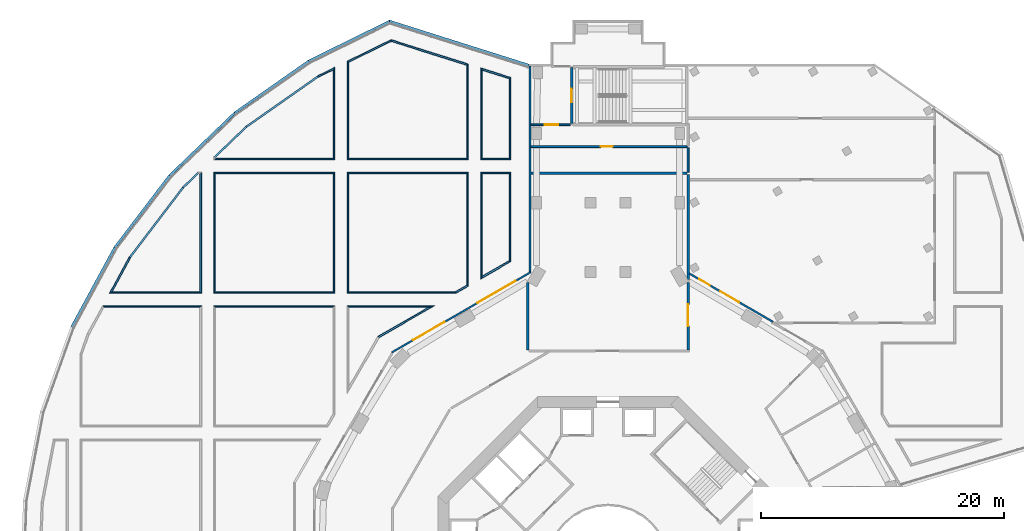
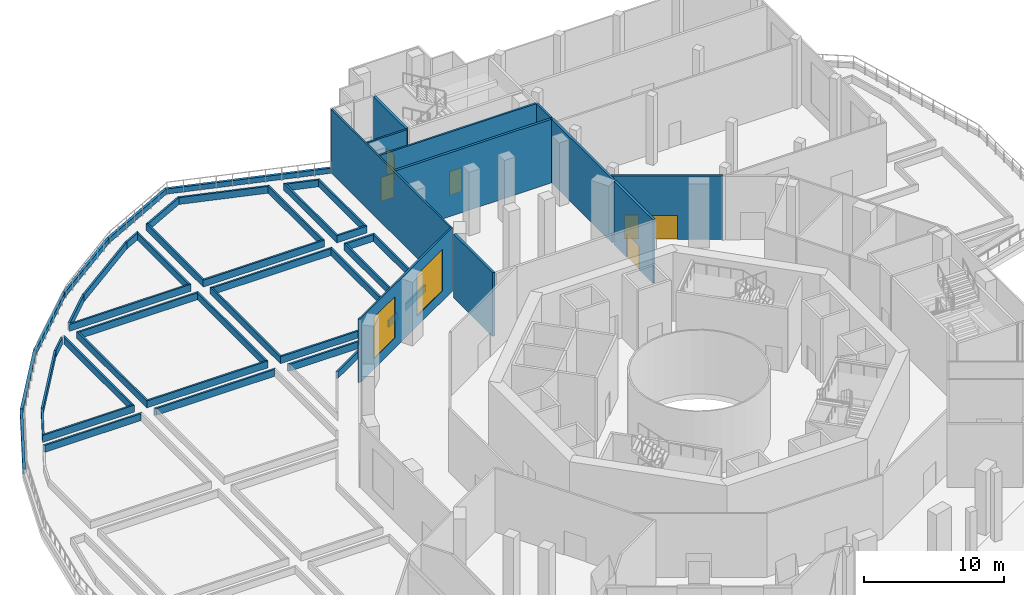
# One storey, part 9 of 29: 53 walls, 6 doors, 2 windows, 8 openings.
"""IFC4 building model written with IfcOpenShell, lengths in metres."""

from ifc_helpers import new_model, si_unit, direction, frame, frame_2d, origin, place, context, subcontext, project, spatial, polyline, rectangle, outline, extrude, material, layer, layer_set, type_object, element, fill, save


model = new_model("IFC4")

# Units and contexts
model_context = context("Model", 3, precision=1e-05, world=origin(), true_north=direction((0.0, 1.0)))
body_context = subcontext(model_context, "Body", "Model", "MODEL_VIEW")
ifc_project = project(units=[si_unit("LENGTHUNIT", "METRE"), si_unit("AREAUNIT", "SQUARE_METRE"), si_unit("VOLUMEUNIT", "CUBIC_METRE"), si_unit("PLANEANGLEUNIT", "RADIAN"), si_unit("MASSUNIT", "GRAM", prefix="KILO")], contexts=[model_context])

# Site, building, storey
site_placement = place(None, origin())
site = spatial("IfcSite", under=ifc_project, at=site_placement, CompositionType="ELEMENT")
building_placement = place(site_placement, origin())
building = spatial("IfcBuilding", under=site, at=building_placement, Name="Verdalira Terraces Hotel", CompositionType="ELEMENT")
storey_placement = place(building_placement, frame((0.0, 0.0, 8.0)))
storey = spatial("IfcBuildingStorey", under=building, at=storey_placement, Name="L01", CompositionType="ELEMENT", Elevation=8.0)

# Wall
ifc_material_1 = material(Name="Concrete block masonry", Category="masonry")
ifc_layer_1 = layer(ifc_material_1, 0.199951171875)
ifc_layer_set_1 = layer_set([ifc_layer_1], Name="Fire-rated masonry wall 200 mm")
wall_type_1 = type_object("IfcWallType", Name="Fire-rated masonry wall 200 mm", PredefinedType="SOLIDWALL", material=ifc_layer_set_1)
wall_1_placement = place(storey_placement, frame((-6.600098, 23.415283, 0.0), z_axis=(0.0, 0.0, 1.0), x_axis=(0.0, -1.0, 0.0)))
element("IfcWall", 1, at=wall_1_placement, inside=storey, type_object=wall_type_1, Name="Plant and kitchen enclosure wall", PredefinedType="SOLIDWALL", context=body_context, shape_type="SweptSolid", body=[
    extrude(rectangle(XDim=5.556885, YDim=0.199951, at=frame_2d((2.77832, 0.0))), origin(), (0.0, 0.0, 1.0), 5.550049),
])

# Wall, opening, door
wall_2_placement = place(storey_placement, frame((6.600098, 23.415283, 0.0), z_axis=(0.0, 0.0, 1.0), x_axis=(0.0, -1.0, 0.0)))
wall_2 = element("IfcWall", 2, at=wall_2_placement, inside=storey, type_object=wall_type_1, Name="Plant and kitchen enclosure wall", PredefinedType="SOLIDWALL", context=body_context, shape_type="SweptSolid", body=[
    extrude(rectangle(XDim=5.556885, YDim=0.199951, at=frame_2d((2.77832, 0.0))), origin(), (0.0, 0.0, 1.0), 5.550049),
])
opening_1_placement = place(wall_2_placement, frame((1.807129, 0.0, 0.0)))
opening_1 = element("IfcOpeningElement", 3, at=opening_1_placement, cuts=wall_2, Name="Opening L01-D16", PredefinedType="OPENING", context=body_context, shape_type="SweptSolid", body=[
    extrude(rectangle(XDim=1.800049, YDim=2.100098, at=frame_2d((0.899902, 1.050049))), frame((0.0, 0.109863, 0.0), z_axis=(0.0, -1.0, 0.0), x_axis=(1.0, 0.0, 0.0)), (0.0, 0.0, 1.0), 0.219971),
])
ifc_material_2 = material(Name="Steel fire door", Category="steel")
door_type_1 = type_object("IfcDoorType", Name="Fire door pair 1800 x 2100", OperationType="DOUBLE_DOOR_SINGLE_SWING", PredefinedType="DOOR", material=ifc_material_2)
door_1_placement = place(opening_1_placement, origin())
door_1 = element("IfcDoor", 4, at=door_1_placement, inside=storey, type_object=door_type_1, Name="Staff corridor door", OperationType="DOUBLE_DOOR_SINGLE_SWING", OverallHeight=2.10009765625, OverallWidth=1.800048828125, PredefinedType="DOOR", context=body_context, shape_type="SweptSolid", body=[
    extrude(rectangle(XDim=1.800049, YDim=2.100098, at=frame_2d((0.899902, 1.050049))), frame((0.0, 0.024902, 0.0), z_axis=(0.0, -1.0, 0.0), x_axis=(1.0, 0.0, 0.0)), (0.0, 0.0, 1.0), 0.050049),
])
fill(opening_1, door_1)

# Walls
wall_3_placement = place(storey_placement, frame((6.600098, 23.659424, 0.0), z_axis=(0.0, 0.0, 1.0), x_axis=(0.0, 1.0, 0.0)))
element("IfcWall", 5, at=wall_3_placement, inside=storey, type_object=wall_type_1, Name="Plant and kitchen enclosure wall", PredefinedType="SOLIDWALL", context=body_context, shape_type="SweptSolid", body=[
    extrude(rectangle(XDim=8.640869, YDim=0.199951, at=frame_2d((4.320312, 0.0))), origin(), (0.0, 0.0, 1.0), 5.550049),
])
wall_4_placement = place(storey_placement, frame((6.5, 32.399902, 0.0), z_axis=(0.0, 0.0, 1.0), x_axis=(-1.0, 0.0, 0.0)))
element("IfcWall", 6, at=wall_4_placement, inside=storey, type_object=wall_type_1, Name="Plant and kitchen enclosure wall", PredefinedType="SOLIDWALL", context=body_context, shape_type="SweptSolid", body=[
    extrude(rectangle(XDim=12.860107, YDim=0.199951, at=frame_2d((6.430176, 0.0))), origin(), (0.0, 0.0, 1.0), 5.550049),
])

# Wall, opening, door
ifc_material_3 = material(Name="Gypsum board partition on steel stud", Category="steel")
ifc_layer_2 = layer(ifc_material_3, 0.14990234375)
ifc_layer_set_2 = layer_set([ifc_layer_2], Name="Fire-rated partition 150 mm")
wall_type_2 = type_object("IfcWallType", Name="Fire-rated partition 150 mm", PredefinedType="PARTITIONING", material=ifc_layer_set_2)
wall_5_placement = place(storey_placement, frame((6.524902, 34.600098, 0.0), z_axis=(0.0, 0.0, 1.0), x_axis=(-1.0, 0.0, 0.0)))
wall_5 = element("IfcWall", 7, at=wall_5_placement, inside=storey, type_object=wall_type_2, Name="Partition", PredefinedType="PARTITIONING", context=body_context, shape_type="SweptSolid", body=[
    extrude(rectangle(XDim=12.88501, YDim=0.149902, at=frame_2d((6.442383, 0.0))), origin(), (0.0, 0.0, 1.0), 5.550049),
])
opening_2_placement = place(wall_5_placement, frame((6.13501, 0.0, 0.0)))
opening_2 = element("IfcOpeningElement", 8, at=opening_2_placement, cuts=wall_5, Name="Opening L01-D09", PredefinedType="OPENING", context=body_context, shape_type="SweptSolid", body=[
    extrude(rectangle(XDim=1.0, YDim=2.100098, at=frame_2d((0.5, 1.050049))), frame((0.0, 0.084961, 0.0), z_axis=(0.0, -1.0, 0.0), x_axis=(1.0, 0.0, 0.0)), (0.0, 0.0, 1.0), 0.169922),
])
ifc_material_4 = material(Name="Steel fire door", Category="steel")
door_type_2 = type_object("IfcDoorType", Name="Fire door 1000 x 2100", OperationType="SINGLE_SWING_LEFT", PredefinedType="DOOR", material=ifc_material_4)
door_2_placement = place(opening_2_placement, origin())
door_2 = element("IfcDoor", 9, at=door_2_placement, inside=storey, type_object=door_type_2, Name="Dry store door", OperationType="SINGLE_SWING_RIGHT", OverallHeight=2.10009765625, OverallWidth=1.0, PredefinedType="DOOR", context=body_context, shape_type="SweptSolid", body=[
    extrude(rectangle(XDim=1.0, YDim=2.100098, at=frame_2d((0.5, 1.050049))), frame((0.0, 0.024902, 0.0), z_axis=(0.0, -1.0, 0.0), x_axis=(1.0, 0.0, 0.0)), (0.0, 0.0, 1.0), 0.050049),
])
fill(opening_2, door_2)

wall_6_placement = place(storey_placement, frame((-3.099854, 36.399902, 0.0), z_axis=(0.0, 0.0, 1.0), x_axis=(-1.0, 0.0, 0.0)))
wall_6 = element("IfcWall", 10, at=wall_6_placement, inside=storey, type_object=wall_type_2, Name="Partition", PredefinedType="PARTITIONING", context=body_context, shape_type="SweptSolid", body=[
    extrude(rectangle(XDim=3.260254, YDim=0.149902, at=frame_2d((1.630127, 0.0))), origin(), (0.0, 0.0, 1.0), 5.550049),
])
opening_3_placement = place(wall_6_placement, frame((1.010254, 0.0, 0.0)))
opening_3 = element("IfcOpeningElement", 11, at=opening_3_placement, cuts=wall_6, Name="Opening L01-D10", PredefinedType="OPENING", context=body_context, shape_type="SweptSolid", body=[
    extrude(rectangle(XDim=1.100098, YDim=2.100098, at=frame_2d((0.550049, 1.050049))), frame((0.0, 0.084961, 0.0), z_axis=(0.0, -1.0, 0.0), x_axis=(1.0, 0.0, 0.0)), (0.0, 0.0, 1.0), 0.169922),
])
ifc_material_5 = material(Name="Steel fire door", Category="steel")
door_type_3 = type_object("IfcDoorType", Name="Stair door 1100 x 2100", OperationType="SINGLE_SWING_LEFT", PredefinedType="DOOR", material=ifc_material_5)
door_3_placement = place(opening_3_placement, origin())
door_3 = element("IfcDoor", 12, at=door_3_placement, inside=storey, type_object=door_type_3, Name="Stair door Stair approach corridor", OperationType="SINGLE_SWING_LEFT", OverallHeight=2.10009765625, OverallWidth=1.10009765625, PredefinedType="DOOR", context=body_context, shape_type="SweptSolid", body=[
    extrude(rectangle(XDim=1.100098, YDim=2.100098, at=frame_2d((0.550049, 1.050049))), frame((0.0, 0.024902, 0.0), z_axis=(0.0, -1.0, 0.0), x_axis=(1.0, 0.0, 0.0)), (0.0, 0.0, 1.0), 0.050049),
])
fill(opening_3, door_3)

# Wall, openings, doors
wall_7_placement = place(storey_placement, frame((13.598389, 20.159912, 0.0), z_axis=(0.0, 0.0, 1.0), x_axis=(-0.866016972, 0.500014603, 0.0)))
wall_7 = element("IfcWall", 13, at=wall_7_placement, inside=storey, type_object=wall_type_2, Name="Partition", PredefinedType="PARTITIONING", context=body_context, shape_type="SweptSolid", body=[
    extrude(rectangle(XDim=7.981201, YDim=0.149902, at=frame_2d((3.990723, 0.0))), origin(), (0.0, 0.0, 1.0), 5.550049),
])
opening_4_placement = place(wall_7_placement, frame((6.03125, 0.0, 0.0)))
opening_4 = element("IfcOpeningElement", 14, at=opening_4_placement, cuts=wall_7, Name="Opening L01-D17", PredefinedType="OPENING", context=body_context, shape_type="SweptSolid", body=[
    extrude(rectangle(XDim=1.0, YDim=2.100098, at=frame_2d((0.5, 1.050049))), frame((0.0, 0.084961, 0.0), z_axis=(0.0, -1.0, 0.0), x_axis=(1.0, 0.0, 0.0)), (0.0, 0.0, 1.0), 0.169922),
])
opening_5_placement = place(wall_7_placement, frame((3.231201, 0.0, 0.0)))
opening_5 = element("IfcOpeningElement", 15, at=opening_5_placement, cuts=wall_7, Name="Opening L01-D18", PredefinedType="OPENING", context=body_context, shape_type="SweptSolid", body=[
    extrude(rectangle(XDim=1.800049, YDim=2.100098, at=frame_2d((0.899902, 1.050049))), frame((0.0, 0.084961, 0.0), z_axis=(0.0, -1.0, 0.0), x_axis=(1.0, 0.0, 0.0)), (0.0, 0.0, 1.0), 0.169922),
])
door_4_placement = place(opening_4_placement, origin())
door_4 = element("IfcDoor", 16, at=door_4_placement, inside=storey, type_object=door_type_2, Name="Staff corridor door", OperationType="SINGLE_SWING_RIGHT", OverallHeight=2.10009765625, OverallWidth=1.0, PredefinedType="DOOR", context=body_context, shape_type="SweptSolid", body=[
    extrude(rectangle(XDim=1.0, YDim=2.100098, at=frame_2d((0.5, 1.050049))), frame((0.0, 0.024902, 0.0), z_axis=(0.0, -1.0, 0.0), x_axis=(1.0, 0.0, 0.0)), (0.0, 0.0, 1.0), 0.050049),
])
fill(opening_4, door_4)
door_5_placement = place(opening_5_placement, origin())
door_5 = element("IfcDoor", 17, at=door_5_placement, inside=storey, type_object=door_type_1, Name="Staff corridor door", OperationType="DOUBLE_DOOR_SINGLE_SWING", OverallHeight=2.10009765625, OverallWidth=1.800048828125, PredefinedType="DOOR", context=body_context, shape_type="SweptSolid", body=[
    extrude(rectangle(XDim=1.800049, YDim=2.100098, at=frame_2d((0.899902, 1.050049))), frame((0.0, 0.024902, 0.0), z_axis=(0.0, -1.0, 0.0), x_axis=(1.0, 0.0, 0.0)), (0.0, 0.0, 1.0), 0.050049),
])
fill(opening_5, door_5)

# Wall
wall_8_placement = place(storey_placement, frame((6.600098, 32.499756, 0.0), z_axis=(0.0, 0.0, 1.0), x_axis=(0.0, 1.0, 0.0)))
element("IfcWall", 18, at=wall_8_placement, inside=storey, type_object=wall_type_2, Name="Partition", PredefinedType="PARTITIONING", context=body_context, shape_type="SweptSolid", body=[
    extrude(rectangle(XDim=2.025391, YDim=0.149902, at=frame_2d((1.012695, 0.0))), origin(), (0.0, 0.0, 1.0), 5.550049),
])

# Wall, opening, door
ifc_material_6 = material(Name="Concrete C50", Category="concrete")
ifc_layer_3 = layer(ifc_material_6, 0.199951171875)
ifc_layer_set_3 = layer_set([ifc_layer_3], Name="Stair enclosure wall 200 mm")
wall_type_3 = type_object("IfcWallType", Name="Stair enclosure wall 200 mm", PredefinedType="SOLIDWALL", material=ifc_layer_set_3)
wall_9_placement = place(storey_placement, frame((-3.0, 36.5, 0.0), z_axis=(0.0, 0.0, 1.0), x_axis=(0.0, 1.0, 0.0)))
wall_9 = element("IfcWall", 19, at=wall_9_placement, inside=storey, type_object=wall_type_3, Name="Stair enclosure wall", PredefinedType="SOLIDWALL", context=body_context, shape_type="SweptSolid", body=[
    extrude(rectangle(XDim=4.600098, YDim=0.199951, at=frame_2d((2.300049, 0.0))), origin(), (0.0, 0.0, 1.0), 5.550049),
])
opening_6_placement = place(wall_9_placement, frame((1.75, 0.0, 0.0)))
opening_6 = element("IfcOpeningElement", 20, at=opening_6_placement, cuts=wall_9, Name="Opening L01-D13", PredefinedType="OPENING", context=body_context, shape_type="SweptSolid", body=[
    extrude(rectangle(XDim=1.100098, YDim=2.100098, at=frame_2d((0.550049, 1.050049))), frame((0.0, 0.109863, 0.0), z_axis=(0.0, -1.0, 0.0), x_axis=(1.0, 0.0, 0.0)), (0.0, 0.0, 1.0), 0.219971),
])
door_6_placement = place(opening_6_placement, origin())
door_6 = element("IfcDoor", 21, at=door_6_placement, inside=storey, type_object=door_type_3, Name="Stair door Stair lobby PS1", OperationType="SINGLE_SWING_RIGHT", OverallHeight=2.10009765625, OverallWidth=1.10009765625, PredefinedType="DOOR", context=body_context, shape_type="SweptSolid", body=[
    extrude(rectangle(XDim=1.100098, YDim=2.100098, at=frame_2d((0.550049, 1.050049))), frame((0.0, 0.024902, 0.0), z_axis=(0.0, -1.0, 0.0), x_axis=(1.0, 0.0, 0.0)), (0.0, 0.0, 1.0), 0.050049),
])
fill(opening_6, door_6)

# Walls
ifc_material_7 = material(Name="Concrete C40", Category="concrete")
ifc_layer_4 = layer(ifc_material_7, 0.14990234375)
ifc_layer_set_4 = layer_set([ifc_layer_4], Name="Terrace planter trough 150 x 600")
wall_type_4 = type_object("IfcWallType", Name="Terrace planter trough 150 x 600", PredefinedType="SOLIDWALL", material=ifc_layer_set_4)
wall_10_placement = place(storey_placement, origin())
element("IfcWall", 22, at=wall_10_placement, inside=storey, type_object=wall_type_4, Name="Terrace planting bed trough", PredefinedType="SOLIDWALL", context=body_context, shape_type="SweptSolid", body=[
    extrude(outline(polyline([(-33.5, 21.5), (-41.643311, 21.5), (-41.554199, 21.350098), (-33.649902, 21.350098), (-33.5, 21.5)])), origin(), (0.0, 0.0, 1.0), 0.600098),
])
wall_11_placement = place(storey_placement, origin())
element("IfcWall", 23, at=wall_11_placement, inside=storey, type_object=wall_type_4, Name="Terrace planting bed trough", PredefinedType="SOLIDWALL", context=body_context, shape_type="SweptSolid", body=[
    extrude(outline(polyline([(-39.459717, 25.524414), (-41.10083, 22.5), (-40.848877, 22.649902), (-39.333496, 25.442871), (-39.459717, 25.524414)])), origin(), (0.0, 0.0, 1.0), 0.600098),
])
wall_12_placement = place(storey_placement, origin())
element("IfcWall", 24, at=wall_12_placement, inside=storey, type_object=wall_type_4, Name="Terrace planting bed trough", PredefinedType="SOLIDWALL", context=body_context, shape_type="SweptSolid", body=[
    extrude(outline(polyline([(-41.10083, 22.5), (-33.5, 22.5), (-33.649902, 22.649902), (-40.848877, 22.649902), (-41.10083, 22.5)])), origin(), (0.0, 0.0, 1.0), 0.600098),
])
wall_13_placement = place(storey_placement, origin())
element("IfcWall", 25, at=wall_13_placement, inside=storey, type_object=wall_type_4, Name="Terrace planting bed trough", PredefinedType="SOLIDWALL", context=body_context, shape_type="SweptSolid", body=[
    extrude(outline(polyline([(-33.5, 22.5), (-33.5, 32.5), (-33.649902, 32.350098), (-33.649902, 22.649902), (-33.5, 22.5)])), origin(), (0.0, 0.0, 1.0), 0.600098),
])
wall_14_placement = place(storey_placement, origin())
element("IfcWall", 26, at=wall_14_placement, inside=storey, type_object=wall_type_4, Name="Terrace planting bed trough", PredefinedType="SOLIDWALL", context=body_context, shape_type="SweptSolid", body=[
    extrude(outline(polyline([(-33.803711, 32.5), (-35.074951, 31.27832), (-34.962646, 31.178223), (-33.743164, 32.350098), (-33.803711, 32.5)])), origin(), (0.0, 0.0, 1.0), 0.600098),
])
wall_15_placement = place(storey_placement, origin())
element("IfcWall", 27, at=wall_15_placement, inside=storey, type_object=wall_type_4, Name="Terrace planting bed trough", PredefinedType="SOLIDWALL", context=body_context, shape_type="SweptSolid", body=[
    extrude(outline(polyline([(-35.074951, 31.27832), (-39.459717, 25.524414), (-39.333496, 25.442871), (-34.962646, 31.178223), (-35.074951, 31.27832)])), origin(), (0.0, 0.0, 1.0), 0.600098),
])
wall_16_placement = place(storey_placement, origin())
element("IfcWall", 28, at=wall_16_placement, inside=storey, type_object=wall_type_4, Name="Terrace planting bed trough", PredefinedType="SOLIDWALL", context=body_context, shape_type="SweptSolid", body=[
    extrude(outline(polyline([(-29.858887, 36.291016), (-32.5, 33.752686), (-32.350098, 33.688965), (-29.763184, 36.174805), (-29.858887, 36.291016)])), origin(), (0.0, 0.0, 1.0), 0.600098),
])
wall_17_placement = place(storey_placement, origin())
element("IfcWall", 29, at=wall_17_placement, inside=storey, type_object=wall_type_4, Name="Terrace planting bed trough", PredefinedType="SOLIDWALL", context=body_context, shape_type="SweptSolid", body=[
    extrude(outline(polyline([(-32.5, 33.5), (-22.5, 33.5), (-22.649902, 33.649902), (-32.350098, 33.649902), (-32.5, 33.5)])), origin(), (0.0, 0.0, 1.0), 0.600098),
])
wall_18_placement = place(storey_placement, origin())
element("IfcWall", 30, at=wall_18_placement, inside=storey, type_object=wall_type_4, Name="Terrace planting bed trough", PredefinedType="SOLIDWALL", context=body_context, shape_type="SweptSolid", body=[
    extrude(outline(polyline([(-22.5, 33.5), (-22.5, 41.149902), (-22.649902, 40.908936), (-22.649902, 33.649902), (-22.5, 33.5)])), origin(), (0.0, 0.0, 1.0), 0.600098),
])
wall_19_placement = place(storey_placement, origin())
element("IfcWall", 31, at=wall_19_placement, inside=storey, type_object=wall_type_4, Name="Terrace planting bed trough", PredefinedType="SOLIDWALL", context=body_context, shape_type="SweptSolid", body=[
    extrude(outline(polyline([(-22.5, 41.149902), (-23.935303, 40.443604), (-23.858643, 40.314209), (-22.649902, 40.908936), (-22.5, 41.149902)])), origin(), (0.0, 0.0, 1.0), 0.600098),
])
wall_20_placement = place(storey_placement, origin())
element("IfcWall", 32, at=wall_20_placement, inside=storey, type_object=wall_type_4, Name="Terrace planting bed trough", PredefinedType="SOLIDWALL", context=body_context, shape_type="SweptSolid", body=[
    extrude(outline(polyline([(-23.935303, 40.443604), (-29.858887, 36.291016), (-29.763184, 36.174805), (-23.858643, 40.314209), (-23.935303, 40.443604)])), origin(), (0.0, 0.0, 1.0), 0.600098),
])
wall_21_placement = place(storey_placement, origin())
element("IfcWall", 33, at=wall_21_placement, inside=storey, type_object=wall_type_4, Name="Terrace planting bed trough", PredefinedType="SOLIDWALL", context=body_context, shape_type="SweptSolid", body=[
    extrude(outline(polyline([(-17.880615, 43.42334), (-21.5, 41.64209), (-21.350098, 41.548584), (-17.868408, 43.262207), (-17.880615, 43.42334)])), origin(), (0.0, 0.0, 1.0), 0.600098),
])
wall_22_placement = place(storey_placement, origin())
element("IfcWall", 34, at=wall_22_placement, inside=storey, type_object=wall_type_4, Name="Terrace planting bed trough", PredefinedType="SOLIDWALL", context=body_context, shape_type="SweptSolid", body=[
    extrude(outline(polyline([(-21.5, 41.64209), (-21.5, 33.5), (-21.350098, 33.649902), (-21.350098, 41.548584), (-21.5, 41.64209)])), origin(), (0.0, 0.0, 1.0), 0.600098),
])
wall_23_placement = place(storey_placement, origin())
element("IfcWall", 35, at=wall_23_placement, inside=storey, type_object=wall_type_4, Name="Terrace planting bed trough", PredefinedType="SOLIDWALL", context=body_context, shape_type="SweptSolid", body=[
    extrude(outline(polyline([(-21.5, 33.5), (-11.5, 33.5), (-11.649902, 33.649902), (-21.350098, 33.649902), (-21.5, 33.5)])), origin(), (0.0, 0.0, 1.0), 0.600098),
])
wall_24_placement = place(storey_placement, origin())
element("IfcWall", 36, at=wall_24_placement, inside=storey, type_object=wall_type_4, Name="Terrace planting bed trough", PredefinedType="SOLIDWALL", context=body_context, shape_type="SweptSolid", body=[
    extrude(outline(polyline([(-11.5, 33.5), (-11.5, 41.406982), (-11.649902, 41.297119), (-11.649902, 33.649902), (-11.5, 33.5)])), origin(), (0.0, 0.0, 1.0), 0.600098),
])
wall_25_placement = place(storey_placement, origin())
element("IfcWall", 37, at=wall_25_placement, inside=storey, type_object=wall_type_4, Name="Terrace planting bed trough", PredefinedType="SOLIDWALL", context=body_context, shape_type="SweptSolid", body=[
    extrude(outline(polyline([(-11.5, 41.406982), (-17.880615, 43.42334), (-17.868408, 43.262207), (-11.649902, 41.297119), (-11.5, 41.406982)])), origin(), (0.0, 0.0, 1.0), 0.600098),
])
wall_26_placement = place(storey_placement, origin())
element("IfcWall", 38, at=wall_26_placement, inside=storey, type_object=wall_type_4, Name="Terrace planting bed trough", PredefinedType="SOLIDWALL", context=body_context, shape_type="SweptSolid", body=[
    extrude(outline(polyline([(-8.0, 40.300781), (-10.5, 41.09082), (-10.350098, 40.88623), (-8.149902, 40.190918), (-8.0, 40.300781)])), origin(), (0.0, 0.0, 1.0), 0.600098),
])
wall_27_placement = place(storey_placement, origin())
element("IfcWall", 39, at=wall_27_placement, inside=storey, type_object=wall_type_4, Name="Terrace planting bed trough", PredefinedType="SOLIDWALL", context=body_context, shape_type="SweptSolid", body=[
    extrude(outline(polyline([(-10.5, 41.09082), (-10.5, 33.5), (-10.350098, 33.649902), (-10.350098, 40.88623), (-10.5, 41.09082)])), origin(), (0.0, 0.0, 1.0), 0.600098),
])
wall_28_placement = place(storey_placement, origin())
element("IfcWall", 40, at=wall_28_placement, inside=storey, type_object=wall_type_4, Name="Terrace planting bed trough", PredefinedType="SOLIDWALL", context=body_context, shape_type="SweptSolid", body=[
    extrude(outline(polyline([(-10.5, 33.5), (-8.0, 33.5), (-8.149902, 33.649902), (-10.350098, 33.649902), (-10.5, 33.5)])), origin(), (0.0, 0.0, 1.0), 0.600098),
])
wall_29_placement = place(storey_placement, origin())
element("IfcWall", 41, at=wall_29_placement, inside=storey, type_object=wall_type_4, Name="Terrace planting bed trough", PredefinedType="SOLIDWALL", context=body_context, shape_type="SweptSolid", body=[
    extrude(outline(polyline([(-8.0, 33.5), (-8.0, 40.300781), (-8.149902, 40.190918), (-8.149902, 33.649902), (-8.0, 33.5)])), origin(), (0.0, 0.0, 1.0), 0.600098),
])
wall_30_placement = place(storey_placement, origin())
element("IfcWall", 42, at=wall_30_placement, inside=storey, type_object=wall_type_4, Name="Terrace planting bed trough", PredefinedType="SOLIDWALL", context=body_context, shape_type="SweptSolid", body=[
    extrude(outline(polyline([(-8.0, 25.124512), (-8.0, 32.5), (-8.149902, 32.350098), (-8.149902, 25.210938), (-8.0, 25.124512)])), origin(), (0.0, 0.0, 1.0), 0.600098),
])
wall_31_placement = place(storey_placement, origin())
element("IfcWall", 43, at=wall_31_placement, inside=storey, type_object=wall_type_4, Name="Terrace planting bed trough", PredefinedType="SOLIDWALL", context=body_context, shape_type="SweptSolid", body=[
    extrude(outline(polyline([(-8.0, 32.5), (-10.5, 32.5), (-10.350098, 32.350098), (-8.149902, 32.350098), (-8.0, 32.5)])), origin(), (0.0, 0.0, 1.0), 0.600098),
])
wall_32_placement = place(storey_placement, origin())
element("IfcWall", 44, at=wall_32_placement, inside=storey, type_object=wall_type_4, Name="Terrace planting bed trough", PredefinedType="SOLIDWALL", context=body_context, shape_type="SweptSolid", body=[
    extrude(outline(polyline([(-10.5, 32.5), (-10.5, 23.680908), (-10.350098, 23.940918), (-10.350098, 32.350098), (-10.5, 32.5)])), origin(), (0.0, 0.0, 1.0), 0.600098),
])
wall_33_placement = place(storey_placement, origin())
element("IfcWall", 45, at=wall_33_placement, inside=storey, type_object=wall_type_4, Name="Terrace planting bed trough", PredefinedType="SOLIDWALL", context=body_context, shape_type="SweptSolid", body=[
    extrude(outline(polyline([(-10.5, 23.680908), (-8.0, 25.124512), (-8.149902, 25.210938), (-10.350098, 23.940918), (-10.5, 23.680908)])), origin(), (0.0, 0.0, 1.0), 0.600098),
])
wall_34_placement = place(storey_placement, origin())
element("IfcWall", 46, at=wall_34_placement, inside=storey, type_object=wall_type_4, Name="Terrace planting bed trough", PredefinedType="SOLIDWALL", context=body_context, shape_type="SweptSolid", body=[
    extrude(outline(polyline([(-12.54541, 22.5), (-11.5, 23.103516), (-11.649902, 23.190186), (-12.585693, 22.649902), (-12.54541, 22.5)])), origin(), (0.0, 0.0, 1.0), 0.600098),
])
wall_35_placement = place(storey_placement, origin())
element("IfcWall", 47, at=wall_35_placement, inside=storey, type_object=wall_type_4, Name="Terrace planting bed trough", PredefinedType="SOLIDWALL", context=body_context, shape_type="SweptSolid", body=[
    extrude(outline(polyline([(-11.5, 23.103516), (-11.5, 32.5), (-11.649902, 32.350098), (-11.649902, 23.190186), (-11.5, 23.103516)])), origin(), (0.0, 0.0, 1.0), 0.600098),
])
wall_36_placement = place(storey_placement, origin())
element("IfcWall", 48, at=wall_36_placement, inside=storey, type_object=wall_type_4, Name="Terrace planting bed trough", PredefinedType="SOLIDWALL", context=body_context, shape_type="SweptSolid", body=[
    extrude(outline(polyline([(-11.5, 32.5), (-21.5, 32.5), (-21.350098, 32.350098), (-11.649902, 32.350098), (-11.5, 32.5)])), origin(), (0.0, 0.0, 1.0), 0.600098),
])
wall_37_placement = place(storey_placement, origin())
element("IfcWall", 49, at=wall_37_placement, inside=storey, type_object=wall_type_4, Name="Terrace planting bed trough", PredefinedType="SOLIDWALL", context=body_context, shape_type="SweptSolid", body=[
    extrude(outline(polyline([(-21.5, 32.5), (-21.5, 22.5), (-21.350098, 22.649902), (-21.350098, 32.350098), (-21.5, 32.5)])), origin(), (0.0, 0.0, 1.0), 0.600098),
])
wall_38_placement = place(storey_placement, origin())
element("IfcWall", 50, at=wall_38_placement, inside=storey, type_object=wall_type_4, Name="Terrace planting bed trough", PredefinedType="SOLIDWALL", context=body_context, shape_type="SweptSolid", body=[
    extrude(outline(polyline([(-21.5, 22.5), (-12.54541, 22.5), (-12.585693, 22.649902), (-21.350098, 22.649902), (-21.5, 22.5)])), origin(), (0.0, 0.0, 1.0), 0.600098),
])
wall_39_placement = place(storey_placement, origin())
element("IfcWall", 51, at=wall_39_placement, inside=storey, type_object=wall_type_4, Name="Terrace planting bed trough", PredefinedType="SOLIDWALL", context=body_context, shape_type="SweptSolid", body=[
    extrude(outline(polyline([(-18.856445, 18.856445), (-14.277588, 21.5), (-14.837402, 21.350098), (-18.966309, 18.966309), (-18.856445, 18.856445)])), origin(), (0.0, 0.0, 1.0), 0.600098),
])
wall_40_placement = place(storey_placement, origin())
element("IfcWall", 52, at=wall_40_placement, inside=storey, type_object=wall_type_4, Name="Terrace planting bed trough", PredefinedType="SOLIDWALL", context=body_context, shape_type="SweptSolid", body=[
    extrude(outline(polyline([(-14.277588, 21.5), (-21.5, 21.5), (-21.350098, 21.350098), (-14.837402, 21.350098), (-14.277588, 21.5)])), origin(), (0.0, 0.0, 1.0), 0.600098),
])
wall_41_placement = place(storey_placement, origin())
element("IfcWall", 53, at=wall_41_placement, inside=storey, type_object=wall_type_4, Name="Terrace planting bed trough", PredefinedType="SOLIDWALL", context=body_context, shape_type="SweptSolid", body=[
    extrude(outline(polyline([(-22.5, 21.5), (-32.5, 21.5), (-32.350098, 21.350098), (-22.649902, 21.350098), (-22.5, 21.5)])), origin(), (0.0, 0.0, 1.0), 0.600098),
])
wall_42_placement = place(storey_placement, origin())
element("IfcWall", 54, at=wall_42_placement, inside=storey, type_object=wall_type_4, Name="Terrace planting bed trough", PredefinedType="SOLIDWALL", context=body_context, shape_type="SweptSolid", body=[
    extrude(outline(polyline([(-32.5, 32.5), (-32.5, 22.5), (-32.350098, 22.649902), (-32.350098, 32.350098), (-32.5, 32.5)])), origin(), (0.0, 0.0, 1.0), 0.600098),
])
wall_43_placement = place(storey_placement, origin())
element("IfcWall", 55, at=wall_43_placement, inside=storey, type_object=wall_type_4, Name="Terrace planting bed trough", PredefinedType="SOLIDWALL", context=body_context, shape_type="SweptSolid", body=[
    extrude(outline(polyline([(-32.5, 22.5), (-22.5, 22.5), (-22.649902, 22.649902), (-32.350098, 22.649902), (-32.5, 22.5)])), origin(), (0.0, 0.0, 1.0), 0.600098),
])
wall_44_placement = place(storey_placement, origin())
element("IfcWall", 56, at=wall_44_placement, inside=storey, type_object=wall_type_4, Name="Terrace planting bed trough", PredefinedType="SOLIDWALL", context=body_context, shape_type="SweptSolid", body=[
    extrude(outline(polyline([(-22.5, 22.5), (-22.5, 32.5), (-22.649902, 32.350098), (-22.649902, 22.649902), (-22.5, 22.5)])), origin(), (0.0, 0.0, 1.0), 0.600098),
])
wall_45_placement = place(storey_placement, origin())
element("IfcWall", 57, at=wall_45_placement, inside=storey, type_object=wall_type_4, Name="Terrace planting bed trough", PredefinedType="SOLIDWALL", context=body_context, shape_type="SweptSolid", body=[
    extrude(outline(polyline([(-22.5, 32.5), (-32.5, 32.5), (-32.350098, 32.350098), (-22.649902, 32.350098), (-22.5, 32.5)])), origin(), (0.0, 0.0, 1.0), 0.600098),
])
ifc_material_8 = material(Name="Concrete C40", Category="concrete")
ifc_layer_5 = layer(ifc_material_8, 0.199951171875)
ifc_layer_set_5 = layer_set([ifc_layer_5], Name="Terrace upstand 200 x 450")
wall_type_5 = type_object("IfcWallType", Name="Terrace upstand 200 x 450", PredefinedType="SOLIDWALL", material=ifc_layer_set_5)
wall_46_placement = place(storey_placement, origin())
element("IfcWall", 58, at=wall_46_placement, inside=storey, type_object=wall_type_5, Name="Terrace upstand", PredefinedType="SOLIDWALL", context=body_context, shape_type="SweptSolid", body=[
    extrude(outline(polyline([(-6.560303, 41.209229), (-6.5, 41.399902), (-18.002686, 45.034912), (-17.986572, 44.820068), (-6.560303, 41.209229)])), origin(), (0.0, 0.0, 1.0), 0.449951),
])
wall_47_placement = place(storey_placement, origin())
element("IfcWall", 59, at=wall_47_placement, inside=storey, type_object=wall_type_5, Name="Terrace upstand", PredefinedType="SOLIDWALL", context=body_context, shape_type="SweptSolid", body=[
    extrude(outline(polyline([(-17.986572, 44.820068), (-18.002686, 45.034912), (-24.701416, 41.738281), (-24.599121, 41.565674), (-17.986572, 44.820068)])), origin(), (0.0, 0.0, 1.0), 0.449951),
])
wall_48_placement = place(storey_placement, origin())
element("IfcWall", 60, at=wall_48_placement, inside=storey, type_object=wall_type_5, Name="Terrace upstand", PredefinedType="SOLIDWALL", context=body_context, shape_type="SweptSolid", body=[
    extrude(outline(polyline([(-24.599121, 41.565674), (-24.701416, 41.738281), (-30.814697, 37.452637), (-30.687256, 37.297852), (-24.599121, 41.565674)])), origin(), (0.0, 0.0, 1.0), 0.449951),
])
wall_49_placement = place(storey_placement, origin())
element("IfcWall", 61, at=wall_49_placement, inside=storey, type_object=wall_type_5, Name="Terrace upstand", PredefinedType="SOLIDWALL", context=body_context, shape_type="SweptSolid", body=[
    extrude(outline(polyline([(-30.687256, 37.297852), (-30.814697, 37.452637), (-36.197754, 32.279541), (-36.048096, 32.145996), (-30.687256, 37.297852)])), origin(), (0.0, 0.0, 1.0), 0.449951),
])
wall_50_placement = place(storey_placement, origin())
element("IfcWall", 62, at=wall_50_placement, inside=storey, type_object=wall_type_5, Name="Terrace upstand", PredefinedType="SOLIDWALL", context=body_context, shape_type="SweptSolid", body=[
    extrude(outline(polyline([(-36.048096, 32.145996), (-36.197754, 32.279541), (-40.723145, 26.341553), (-40.554688, 26.232666), (-36.048096, 32.145996)])), origin(), (0.0, 0.0, 1.0), 0.449951),
])
wall_51_placement = place(storey_placement, origin())
element("IfcWall", 63, at=wall_51_placement, inside=storey, type_object=wall_type_5, Name="Terrace upstand", PredefinedType="SOLIDWALL", context=body_context, shape_type="SweptSolid", body=[
    extrude(outline(polyline([(-40.554688, 26.232666), (-40.723145, 26.341553), (-44.283447, 19.779541), (-44.100342, 19.697754), (-40.554688, 26.232666)])), origin(), (0.0, 0.0, 1.0), 0.449951),
])
ifc_material_9 = material(Name="Terracotta cladding on steel stud backup", Category="masonry")
ifc_layer_6 = layer(ifc_material_9, 0.139892578125)
ifc_layer_set_6 = layer_set([ifc_layer_6], Name="Terracotta clad wall 140 mm")
wall_type_6 = type_object("IfcWallType", Name="Terracotta clad wall 140 mm", PredefinedType="SOLIDWALL", material=ifc_layer_set_6)
wall_52_placement = place(storey_placement, frame((-6.429932, 41.26001, 0.0), z_axis=(0.0, 0.0, 1.0), x_axis=(0.0, -1.0, 0.0)))
element("IfcWall", 64, at=wall_52_placement, inside=storey, type_object=wall_type_6, Name="Podium facade wall", PredefinedType="SOLIDWALL", context=body_context, shape_type="SweptSolid", body=[
    extrude(rectangle(XDim=16.961426, YDim=0.139893, at=frame_2d((8.480713, 0.0))), origin(), (0.0, 0.0, 1.0), 5.550049),
])

# Wall, openings, windows
wall_53_placement = place(storey_placement, frame((-6.360107, 24.258301, 0.0), z_axis=(0.0, 0.0, 1.0), x_axis=(-0.866029009, -0.499993756, 0.0)))
wall_53 = element("IfcWall", 65, at=wall_53_placement, inside=storey, type_object=wall_type_6, Name="Podium facade wall", PredefinedType="SOLIDWALL", context=body_context, shape_type="SweptSolid", body=[
    extrude(rectangle(XDim=13.242432, YDim=0.139893, at=frame_2d((6.621094, 0.0))), origin(), (0.0, 0.0, 1.0), 5.550049),
])
opening_7_placement = place(wall_53_placement, frame((1.460205, 0.0, 0.899902)))
opening_7 = element("IfcOpeningElement", 66, at=opening_7_placement, cuts=wall_53, Name="Opening WP", PredefinedType="OPENING", context=body_context, shape_type="SweptSolid", body=[
    extrude(rectangle(XDim=3.600098, YDim=3.600098, at=frame_2d((1.800049, 1.800049))), frame((0.0, 0.079834, 0.0), z_axis=(0.0, -1.0, 0.0), x_axis=(1.0, 0.0, 0.0)), (0.0, 0.0, 1.0), 0.159912),
])
opening_8_placement = place(wall_53_placement, frame((8.2146, 0.0, 0.899902)))
opening_8 = element("IfcOpeningElement", 67, at=opening_8_placement, cuts=wall_53, Name="Opening WP", PredefinedType="OPENING", context=body_context, shape_type="SweptSolid", body=[
    extrude(rectangle(XDim=3.0, YDim=3.600098, at=frame_2d((1.5, 1.800049))), frame((0.0, 0.079834, 0.0), z_axis=(0.0, -1.0, 0.0), x_axis=(1.0, 0.0, 0.0)), (0.0, 0.0, 1.0), 0.159912),
])
ifc_material_10 = material(Name="Clear double glazing in aluminium frame", Category="aluminium")
window_type_1 = type_object("IfcWindowType", Name="Podium window 3000 x 3600", PartitioningType="SINGLE_PANEL", PredefinedType="WINDOW", material=ifc_material_10)
window_1_placement = place(opening_8_placement, origin())
window_1 = element("IfcWindow", 68, at=window_1_placement, inside=storey, type_object=window_type_1, Name="Podium window", OverallHeight=3.60009765625, OverallWidth=3.0, PartitioningType="SINGLE_PANEL", PredefinedType="WINDOW", context=body_context, shape_type="SweptSolid", body=[
    extrude(rectangle(XDim=3.0, YDim=3.600098, at=frame_2d((1.5, 1.800049))), frame((0.0, 0.030029, 0.0), z_axis=(0.0, -1.0, 0.0), x_axis=(1.0, 0.0, 0.0)), (0.0, 0.0, 1.0), 0.060059),
])
fill(opening_8, window_1)
ifc_material_11 = material(Name="Clear double glazing in aluminium frame", Category="aluminium")
window_type_2 = type_object("IfcWindowType", Name="Podium window 3600 x 3600", PartitioningType="SINGLE_PANEL", PredefinedType="WINDOW", material=ifc_material_11)
window_2_placement = place(opening_7_placement, origin())
window_2 = element("IfcWindow", 69, at=window_2_placement, inside=storey, type_object=window_type_2, Name="Podium window", OverallHeight=3.60009765625, OverallWidth=3.60009765625, PartitioningType="SINGLE_PANEL", PredefinedType="WINDOW", context=body_context, shape_type="SweptSolid", body=[
    extrude(rectangle(XDim=3.600098, YDim=3.600098, at=frame_2d((1.800049, 1.800049))), frame((0.0, 0.030029, 0.0), z_axis=(0.0, -1.0, 0.0), x_axis=(1.0, 0.0, 0.0)), (0.0, 0.0, 1.0), 0.060059),
])
fill(opening_7, window_2)

save(model, "model.ifc")
